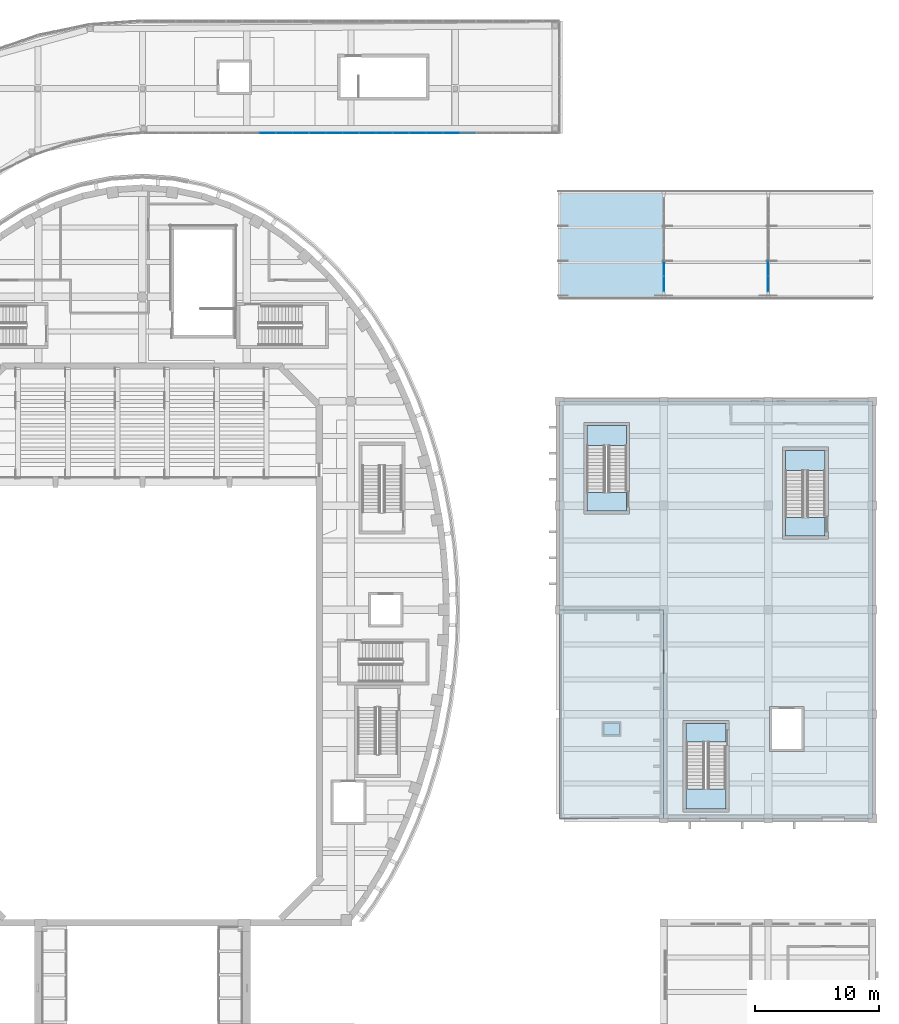
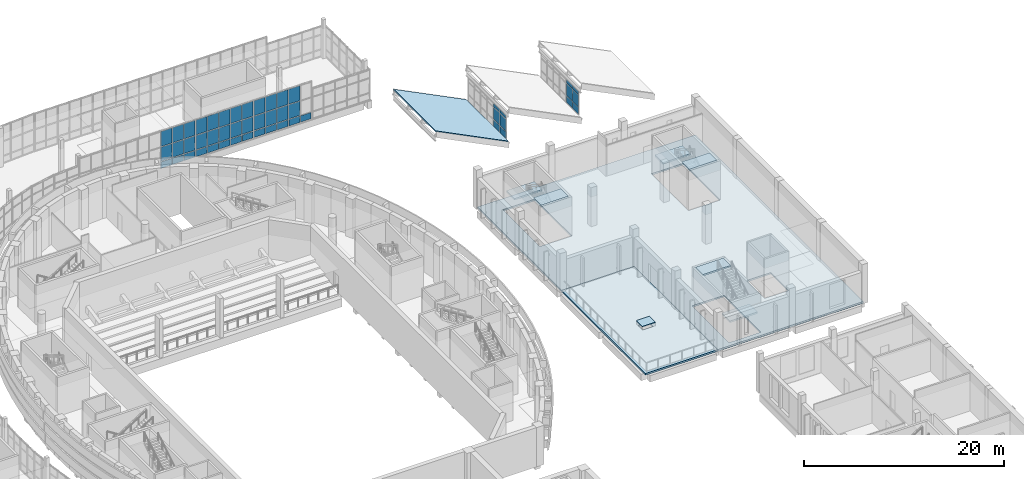
# One storey, part 45 of 103: 50 plates, 9 slabs, 1 opening, 8 elements without a shape of their own.
"""IFC4 building model written with IfcOpenShell, lengths in metres."""

from ifc_helpers import new_model, si_unit, direction, frame, origin, origin_2d, place, context, subcontext, project, spatial, polyline, rectangle, outline, extrude, material, layer, layer_set, type_object, element, fill, aggregate, save


model = new_model("IFC4")

# Units and contexts
model_context = context("Model", 3, precision=1e-05, world=origin(), true_north=direction((0.0, 1.0)))
body_context = subcontext(model_context, "Body", "Model", "MODEL_VIEW")
ifc_project = project(units=[si_unit("LENGTHUNIT", "METRE"), si_unit("AREAUNIT", "SQUARE_METRE"), si_unit("VOLUMEUNIT", "CUBIC_METRE"), si_unit("PLANEANGLEUNIT", "RADIAN"), si_unit("MASSUNIT", "GRAM", prefix="KILO")], contexts=[model_context])

# Site, building, storey
site_placement = place(None, origin())
site = spatial("IfcSite", under=ifc_project, at=site_placement, CompositionType="ELEMENT")
building_placement = place(site_placement, origin())
building = spatial("IfcBuilding", under=site, at=building_placement, Name="Larchfold Concert Hall", CompositionType="ELEMENT")
storey_placement = place(building_placement, frame((0.0, 0.0, 9.60009765625)))
storey = spatial("IfcBuildingStorey", under=building, at=storey_placement, Name="L02", CompositionType="ELEMENT", Elevation=9.60009765625)

# Curtain wall, plates
ifc_material_1 = material(Name="Anodised graphite aluminium curtain wall", Category="aluminium")
ifc_layer_1 = layer(ifc_material_1, 0.10009765625)
ifc_layer_set_1 = layer_set([ifc_layer_1], Name="Anodised graphite aluminium curtain wall")
curtain_wall_type_1 = type_object("IfcCurtainWallType", Name="Curtain wall GL", PredefinedType="NOTDEFINED", material=ifc_layer_set_1)
curtain_wall_1_placement = place(storey_placement, origin())
curtain_wall_1 = element("IfcCurtainWall", 1, at=curtain_wall_1_placement, inside=storey, type_object=curtain_wall_type_1, Name="Curtain wall CW8002", PredefinedType="NOTDEFINED")
ifc_material_2 = material(Name="Insulated glazing unit, glass", Category="glass")
ifc_layer_2 = layer(ifc_material_2, 0.02587890625)
ifc_layer_set_2 = layer_set([ifc_layer_2], Name="Insulated glazing unit, glass")
plate_type_1 = type_object("IfcPlateType", Name="Glass panel 26", PredefinedType="CURTAIN_PANEL", material=ifc_layer_set_2)
plate_1_placement = place(storey_placement, frame((84.60009765625, 110.845703125, 0.929931640625), z_axis=(0.0, 0.0, 1.0), x_axis=(0.0, 1.0, 0.0)))
plate_1 = element("IfcPlate", 2, at=plate_1_placement, type_object=plate_type_1, Name="CW8002 panel 1.2", PredefinedType="CURTAIN_PANEL", context=body_context, shape_type="SweptSolid", body=[
    extrude(rectangle(XDim=1.191650390625, YDim=0.02587890625, at=origin_2d()), origin(), (0.0, 0.0, 1.0), 1.4638671875),
])
plate_2_placement = place(storey_placement, frame((84.60009765625, 110.845703125, 2.4541015625), z_axis=(0.0, 0.0, 1.0), x_axis=(0.0, 1.0, 0.0)))
plate_2 = element("IfcPlate", 3, at=plate_2_placement, type_object=plate_type_1, Name="CW8002 panel 1.3", PredefinedType="CURTAIN_PANEL", context=body_context, shape_type="SweptSolid", body=[
    extrude(rectangle(XDim=1.191650390625, YDim=0.02587890625, at=origin_2d()), origin(), (0.0, 0.0, 1.0), 0.409912109375),
])
plate_3_placement = place(storey_placement, frame((84.60009765625, 112.10009765625, 0.929931640625), z_axis=(0.0, 0.0, 1.0), x_axis=(0.0, 1.0, 0.0)))
plate_3 = element("IfcPlate", 4, at=plate_3_placement, type_object=plate_type_1, Name="CW8002 panel 2.2", PredefinedType="CURTAIN_PANEL", context=body_context, shape_type="SweptSolid", body=[
    extrude(rectangle(XDim=1.216796875, YDim=0.02587890625, at=origin_2d()), origin(), (0.0, 0.0, 1.0), 1.4638671875),
])
plate_4_placement = place(storey_placement, frame((84.60009765625, 112.10009765625, 2.4541015625), z_axis=(0.0, 0.0, 1.0), x_axis=(0.0, 1.0, 0.0)))
plate_4 = element("IfcPlate", 5, at=plate_4_placement, type_object=plate_type_1, Name="CW8002 panel 2.3", PredefinedType="CURTAIN_PANEL", context=body_context, shape_type="SweptSolid", body=[
    extrude(rectangle(XDim=1.216796875, YDim=0.02587890625, at=origin_2d()), origin(), (0.0, 0.0, 1.0), 0.409912109375),
])

curtain_wall_2_placement = place(storey_placement, origin())
curtain_wall_2 = element("IfcCurtainWall", 6, at=curtain_wall_2_placement, inside=storey, type_object=curtain_wall_type_1, Name="Curtain wall CW8003", PredefinedType="NOTDEFINED")
plate_5_placement = place(storey_placement, frame((93.0, 110.845703125, 0.929931640625), z_axis=(0.0, 0.0, 1.0), x_axis=(0.0, 1.0, 0.0)))
plate_5 = element("IfcPlate", 7, at=plate_5_placement, type_object=plate_type_1, Name="CW8003 panel 1.2", PredefinedType="CURTAIN_PANEL", context=body_context, shape_type="SweptSolid", body=[
    extrude(rectangle(XDim=1.191650390625, YDim=0.02587890625, at=origin_2d()), origin(), (0.0, 0.0, 1.0), 1.4638671875),
])
plate_6_placement = place(storey_placement, frame((93.0, 110.845703125, 2.4541015625), z_axis=(0.0, 0.0, 1.0), x_axis=(0.0, 1.0, 0.0)))
plate_6 = element("IfcPlate", 8, at=plate_6_placement, type_object=plate_type_1, Name="CW8003 panel 1.3", PredefinedType="CURTAIN_PANEL", context=body_context, shape_type="SweptSolid", body=[
    extrude(rectangle(XDim=1.191650390625, YDim=0.02587890625, at=origin_2d()), origin(), (0.0, 0.0, 1.0), 0.409912109375),
])
plate_7_placement = place(storey_placement, frame((93.0, 112.10009765625, 0.929931640625), z_axis=(0.0, 0.0, 1.0), x_axis=(0.0, 1.0, 0.0)))
plate_7 = element("IfcPlate", 9, at=plate_7_placement, type_object=plate_type_1, Name="CW8003 panel 2.2", PredefinedType="CURTAIN_PANEL", context=body_context, shape_type="SweptSolid", body=[
    extrude(rectangle(XDim=1.216796875, YDim=0.02587890625, at=origin_2d()), origin(), (0.0, 0.0, 1.0), 1.4638671875),
])
plate_8_placement = place(storey_placement, frame((93.0, 112.10009765625, 2.4541015625), z_axis=(0.0, 0.0, 1.0), x_axis=(0.0, 1.0, 0.0)))
plate_8 = element("IfcPlate", 10, at=plate_8_placement, type_object=plate_type_1, Name="CW8003 panel 2.3", PredefinedType="CURTAIN_PANEL", context=body_context, shape_type="SweptSolid", body=[
    extrude(rectangle(XDim=1.216796875, YDim=0.02587890625, at=origin_2d()), origin(), (0.0, 0.0, 1.0), 0.409912109375),
])

ifc_material_3 = material(Name="Anodised graphite aluminium curtain wall", Category="aluminium")
ifc_layer_3 = layer(ifc_material_3, 0.14990234375)
ifc_layer_set_3 = layer_set([ifc_layer_3], Name="Anodised graphite aluminium curtain wall")
curtain_wall_type_2 = type_object("IfcCurtainWallType", Name="Curtain wall WG", PredefinedType="NOTDEFINED", material=ifc_layer_set_3)
curtain_wall_3_placement = place(storey_placement, origin())
curtain_wall_3 = element("IfcCurtainWall", 11, at=curtain_wall_3_placement, inside=storey, type_object=curtain_wall_type_2, Name="Curtain wall CW0244", PredefinedType="NOTDEFINED")
ifc_material_4 = material(Name="Insulated glazing unit, glass", Category="glass")
ifc_layer_4 = layer(ifc_material_4, 0.028076171875)
ifc_layer_set_4 = layer_set([ifc_layer_4], Name="Insulated glazing unit, glass")
plate_type_2 = type_object("IfcPlateType", Name="Glass panel 28", PredefinedType="CURTAIN_PANEL", material=ifc_layer_set_4)
plate_9_placement = place(storey_placement, frame((52.679931640625, 123.0, 0.93994140625), z_axis=(0.0, 0.0, 1.0), x_axis=(1.0, 0.0, 0.0)))
plate_9 = element("IfcPlate", 12, at=plate_9_placement, type_object=plate_type_2, Name="CW0244 panel 3.2", PredefinedType="CURTAIN_PANEL", context=body_context, shape_type="SweptSolid", body=[
    extrude(rectangle(XDim=1.283935546875, YDim=0.028076171875, at=origin_2d()), origin(), (0.0, 0.0, 1.0), 1.719970703125),
])
plate_10_placement = place(storey_placement, frame((52.679931640625, 123.0, 2.740234375), z_axis=(0.0, 0.0, 1.0), x_axis=(1.0, 0.0, 0.0)))
plate_10 = element("IfcPlate", 13, at=plate_10_placement, type_object=plate_type_2, Name="CW0244 panel 3.3", PredefinedType="CURTAIN_PANEL", context=body_context, shape_type="SweptSolid", body=[
    extrude(rectangle(XDim=1.283935546875, YDim=0.028076171875, at=origin_2d()), origin(), (0.0, 0.0, 1.0), 1.829833984375),
])
plate_11_placement = place(storey_placement, frame((54.02392578125, 123.0, 0.93994140625), z_axis=(0.0, 0.0, 1.0), x_axis=(1.0, 0.0, 0.0)))
plate_11 = element("IfcPlate", 14, at=plate_11_placement, type_object=plate_type_2, Name="CW0244 panel 4.2", PredefinedType="CURTAIN_PANEL", context=body_context, shape_type="SweptSolid", body=[
    extrude(rectangle(XDim=1.283935546875, YDim=0.028076171875, at=origin_2d()), origin(), (0.0, 0.0, 1.0), 1.719970703125),
])
plate_12_placement = place(storey_placement, frame((54.02392578125, 123.0, 2.740234375), z_axis=(0.0, 0.0, 1.0), x_axis=(1.0, 0.0, 0.0)))
plate_12 = element("IfcPlate", 15, at=plate_12_placement, type_object=plate_type_2, Name="CW0244 panel 4.3", PredefinedType="CURTAIN_PANEL", context=body_context, shape_type="SweptSolid", body=[
    extrude(rectangle(XDim=1.283935546875, YDim=0.028076171875, at=origin_2d()), origin(), (0.0, 0.0, 1.0), 1.829833984375),
])
plate_13_placement = place(storey_placement, frame((55.35302734375, 123.0, 0.93994140625), z_axis=(0.0, 0.0, 1.0), x_axis=(1.0, 0.0, 0.0)))
plate_13 = element("IfcPlate", 16, at=plate_13_placement, type_object=plate_type_2, Name="CW0244 panel 5.2", PredefinedType="CURTAIN_PANEL", context=body_context, shape_type="SweptSolid", body=[
    extrude(rectangle(XDim=1.25390625, YDim=0.028076171875, at=origin_2d()), origin(), (0.0, 0.0, 1.0), 1.719970703125),
])
plate_14_placement = place(storey_placement, frame((55.35302734375, 123.0, 2.740234375), z_axis=(0.0, 0.0, 1.0), x_axis=(1.0, 0.0, 0.0)))
plate_14 = element("IfcPlate", 17, at=plate_14_placement, type_object=plate_type_2, Name="CW0244 panel 5.3", PredefinedType="CURTAIN_PANEL", context=body_context, shape_type="SweptSolid", body=[
    extrude(rectangle(XDim=1.25390625, YDim=0.028076171875, at=origin_2d()), origin(), (0.0, 0.0, 1.0), 1.829833984375),
])

curtain_wall_4_placement = place(storey_placement, origin())
curtain_wall_4 = element("IfcCurtainWall", 18, at=curtain_wall_4_placement, inside=storey, type_object=curtain_wall_type_2, Name="Curtain wall CW0245", PredefinedType="NOTDEFINED")
plate_15_placement = place(storey_placement, frame((56.72705078125, 123.0, 0.93994140625), z_axis=(0.0, 0.0, 1.0), x_axis=(1.0, 0.0, 0.0)))
plate_15 = element("IfcPlate", 19, at=plate_15_placement, type_object=plate_type_2, Name="CW0245 panel 1.2", PredefinedType="CURTAIN_PANEL", context=body_context, shape_type="SweptSolid", body=[
    extrude(rectangle(XDim=1.25390625, YDim=0.028076171875, at=origin_2d()), origin(), (0.0, 0.0, 1.0), 1.719970703125),
])
plate_16_placement = place(storey_placement, frame((56.72705078125, 123.0, 2.740234375), z_axis=(0.0, 0.0, 1.0), x_axis=(1.0, 0.0, 0.0)))
plate_16 = element("IfcPlate", 20, at=plate_16_placement, type_object=plate_type_2, Name="CW0245 panel 1.3", PredefinedType="CURTAIN_PANEL", context=body_context, shape_type="SweptSolid", body=[
    extrude(rectangle(XDim=1.25390625, YDim=0.028076171875, at=origin_2d()), origin(), (0.0, 0.0, 1.0), 1.829833984375),
])
plate_17_placement = place(storey_placement, frame((58.055908203125, 123.0, 0.93994140625), z_axis=(0.0, 0.0, 1.0), x_axis=(1.0, 0.0, 0.0)))
plate_17 = element("IfcPlate", 21, at=plate_17_placement, type_object=plate_type_2, Name="CW0245 panel 2.2", PredefinedType="CURTAIN_PANEL", context=body_context, shape_type="SweptSolid", body=[
    extrude(rectangle(XDim=1.283935546875, YDim=0.028076171875, at=origin_2d()), origin(), (0.0, 0.0, 1.0), 1.719970703125),
])
plate_18_placement = place(storey_placement, frame((58.055908203125, 123.0, 2.740234375), z_axis=(0.0, 0.0, 1.0), x_axis=(1.0, 0.0, 0.0)))
plate_18 = element("IfcPlate", 22, at=plate_18_placement, type_object=plate_type_2, Name="CW0245 panel 2.3", PredefinedType="CURTAIN_PANEL", context=body_context, shape_type="SweptSolid", body=[
    extrude(rectangle(XDim=1.283935546875, YDim=0.028076171875, at=origin_2d()), origin(), (0.0, 0.0, 1.0), 1.829833984375),
])
plate_19_placement = place(storey_placement, frame((59.39990234375, 123.0, 0.93994140625), z_axis=(0.0, 0.0, 1.0), x_axis=(1.0, 0.0, 0.0)))
plate_19 = element("IfcPlate", 23, at=plate_19_placement, type_object=plate_type_2, Name="CW0245 panel 3.2", PredefinedType="CURTAIN_PANEL", context=body_context, shape_type="SweptSolid", body=[
    extrude(rectangle(XDim=1.283935546875, YDim=0.028076171875, at=origin_2d()), origin(), (0.0, 0.0, 1.0), 1.719970703125),
])
plate_20_placement = place(storey_placement, frame((59.39990234375, 123.0, 2.740234375), z_axis=(0.0, 0.0, 1.0), x_axis=(1.0, 0.0, 0.0)))
plate_20 = element("IfcPlate", 24, at=plate_20_placement, type_object=plate_type_2, Name="CW0245 panel 3.3", PredefinedType="CURTAIN_PANEL", context=body_context, shape_type="SweptSolid", body=[
    extrude(rectangle(XDim=1.283935546875, YDim=0.028076171875, at=origin_2d()), origin(), (0.0, 0.0, 1.0), 1.829833984375),
])
plate_21_placement = place(storey_placement, frame((60.744140625, 123.0, 0.93994140625), z_axis=(0.0, 0.0, 1.0), x_axis=(1.0, 0.0, 0.0)))
plate_21 = element("IfcPlate", 25, at=plate_21_placement, type_object=plate_type_2, Name="CW0245 panel 4.2", PredefinedType="CURTAIN_PANEL", context=body_context, shape_type="SweptSolid", body=[
    extrude(rectangle(XDim=1.283935546875, YDim=0.028076171875, at=origin_2d()), origin(), (0.0, 0.0, 1.0), 1.719970703125),
])
plate_22_placement = place(storey_placement, frame((60.744140625, 123.0, 2.740234375), z_axis=(0.0, 0.0, 1.0), x_axis=(1.0, 0.0, 0.0)))
plate_22 = element("IfcPlate", 26, at=plate_22_placement, type_object=plate_type_2, Name="CW0245 panel 4.3", PredefinedType="CURTAIN_PANEL", context=body_context, shape_type="SweptSolid", body=[
    extrude(rectangle(XDim=1.283935546875, YDim=0.028076171875, at=origin_2d()), origin(), (0.0, 0.0, 1.0), 1.829833984375),
])
plate_23_placement = place(storey_placement, frame((62.072998046875, 123.0, 0.93994140625), z_axis=(0.0, 0.0, 1.0), x_axis=(1.0, 0.0, 0.0)))
plate_23 = element("IfcPlate", 27, at=plate_23_placement, type_object=plate_type_2, Name="CW0245 panel 5.2", PredefinedType="CURTAIN_PANEL", context=body_context, shape_type="SweptSolid", body=[
    extrude(rectangle(XDim=1.25390625, YDim=0.028076171875, at=origin_2d()), origin(), (0.0, 0.0, 1.0), 1.719970703125),
])
plate_24_placement = place(storey_placement, frame((62.072998046875, 123.0, 2.740234375), z_axis=(0.0, 0.0, 1.0), x_axis=(1.0, 0.0, 0.0)))
plate_24 = element("IfcPlate", 28, at=plate_24_placement, type_object=plate_type_2, Name="CW0245 panel 5.3", PredefinedType="CURTAIN_PANEL", context=body_context, shape_type="SweptSolid", body=[
    extrude(rectangle(XDim=1.25390625, YDim=0.028076171875, at=origin_2d()), origin(), (0.0, 0.0, 1.0), 1.829833984375),
])

curtain_wall_5_placement = place(storey_placement, origin())
curtain_wall_5 = element("IfcCurtainWall", 29, at=curtain_wall_5_placement, inside=storey, type_object=curtain_wall_type_2, Name="Curtain wall CW0246", PredefinedType="NOTDEFINED")
plate_25_placement = place(storey_placement, frame((63.447021484375, 123.0, 0.93994140625), z_axis=(0.0, 0.0, 1.0), x_axis=(1.0, 0.0, 0.0)))
plate_25 = element("IfcPlate", 30, at=plate_25_placement, type_object=plate_type_2, Name="CW0246 panel 1.2", PredefinedType="CURTAIN_PANEL", context=body_context, shape_type="SweptSolid", body=[
    extrude(rectangle(XDim=1.25390625, YDim=0.028076171875, at=origin_2d()), origin(), (0.0, 0.0, 1.0), 1.719970703125),
])
plate_26_placement = place(storey_placement, frame((63.447021484375, 123.0, 2.740234375), z_axis=(0.0, 0.0, 1.0), x_axis=(1.0, 0.0, 0.0)))
plate_26 = element("IfcPlate", 31, at=plate_26_placement, type_object=plate_type_2, Name="CW0246 panel 1.3", PredefinedType="CURTAIN_PANEL", context=body_context, shape_type="SweptSolid", body=[
    extrude(rectangle(XDim=1.25390625, YDim=0.028076171875, at=origin_2d()), origin(), (0.0, 0.0, 1.0), 1.829833984375),
])
plate_27_placement = place(storey_placement, frame((64.776123046875, 123.0, 0.93994140625), z_axis=(0.0, 0.0, 1.0), x_axis=(1.0, 0.0, 0.0)))
plate_27 = element("IfcPlate", 32, at=plate_27_placement, type_object=plate_type_2, Name="CW0246 panel 2.2", PredefinedType="CURTAIN_PANEL", context=body_context, shape_type="SweptSolid", body=[
    extrude(rectangle(XDim=1.283935546875, YDim=0.028076171875, at=origin_2d()), origin(), (0.0, 0.0, 1.0), 1.719970703125),
])
plate_28_placement = place(storey_placement, frame((64.776123046875, 123.0, 2.740234375), z_axis=(0.0, 0.0, 1.0), x_axis=(1.0, 0.0, 0.0)))
plate_28 = element("IfcPlate", 33, at=plate_28_placement, type_object=plate_type_2, Name="CW0246 panel 2.3", PredefinedType="CURTAIN_PANEL", context=body_context, shape_type="SweptSolid", body=[
    extrude(rectangle(XDim=1.283935546875, YDim=0.028076171875, at=origin_2d()), origin(), (0.0, 0.0, 1.0), 1.829833984375),
])
plate_29_placement = place(storey_placement, frame((66.119873046875, 123.0, 0.93994140625), z_axis=(0.0, 0.0, 1.0), x_axis=(1.0, 0.0, 0.0)))
plate_29 = element("IfcPlate", 34, at=plate_29_placement, type_object=plate_type_2, Name="CW0246 panel 3.2", PredefinedType="CURTAIN_PANEL", context=body_context, shape_type="SweptSolid", body=[
    extrude(rectangle(XDim=1.283935546875, YDim=0.028076171875, at=origin_2d()), origin(), (0.0, 0.0, 1.0), 1.719970703125),
])
plate_30_placement = place(storey_placement, frame((66.119873046875, 123.0, 2.740234375), z_axis=(0.0, 0.0, 1.0), x_axis=(1.0, 0.0, 0.0)))
plate_30 = element("IfcPlate", 35, at=plate_30_placement, type_object=plate_type_2, Name="CW0246 panel 3.3", PredefinedType="CURTAIN_PANEL", context=body_context, shape_type="SweptSolid", body=[
    extrude(rectangle(XDim=1.283935546875, YDim=0.028076171875, at=origin_2d()), origin(), (0.0, 0.0, 1.0), 1.829833984375),
])
plate_31_placement = place(storey_placement, frame((67.464111328125, 123.0, 0.93994140625), z_axis=(0.0, 0.0, 1.0), x_axis=(1.0, 0.0, 0.0)))
plate_31 = element("IfcPlate", 36, at=plate_31_placement, type_object=plate_type_2, Name="CW0246 panel 4.2", PredefinedType="CURTAIN_PANEL", context=body_context, shape_type="SweptSolid", body=[
    extrude(rectangle(XDim=1.283935546875, YDim=0.028076171875, at=origin_2d()), origin(), (0.0, 0.0, 1.0), 1.719970703125),
])
plate_32_placement = place(storey_placement, frame((67.464111328125, 123.0, 2.740234375), z_axis=(0.0, 0.0, 1.0), x_axis=(1.0, 0.0, 0.0)))
plate_32 = element("IfcPlate", 37, at=plate_32_placement, type_object=plate_type_2, Name="CW0246 panel 4.3", PredefinedType="CURTAIN_PANEL", context=body_context, shape_type="SweptSolid", body=[
    extrude(rectangle(XDim=1.283935546875, YDim=0.028076171875, at=origin_2d()), origin(), (0.0, 0.0, 1.0), 1.829833984375),
])

# Plate
ifc_material_5 = material(Name="White insulated panel")
ifc_layer_5 = layer(ifc_material_5, 0.044921875)
ifc_layer_set_5 = layer_set([ifc_layer_5], Name="White insulated panel")
plate_type_3 = type_object("IfcPlateType", Name="Insulated spandrel panel 45", PredefinedType="CURTAIN_PANEL", material=ifc_layer_set_5)
plate_33_placement = place(storey_placement, frame((84.60009765625, 110.845703125, 0.06005859375), z_axis=(0.0, 0.0, 1.0), x_axis=(0.0, 1.0, 0.0)))
plate_33 = element("IfcPlate", 38, at=plate_33_placement, type_object=plate_type_3, Name="CW8002 panel 1.1", PredefinedType="CURTAIN_PANEL", context=body_context, shape_type="SweptSolid", body=[
    extrude(rectangle(XDim=1.191650390625, YDim=0.044921875, at=origin_2d()), origin(), (0.0, 0.0, 1.0), 0.809814453125),
])

plate_34_placement = place(storey_placement, frame((84.60009765625, 112.10009765625, 0.06005859375), z_axis=(0.0, 0.0, 1.0), x_axis=(0.0, 1.0, 0.0)))
plate_34 = element("IfcPlate", 39, at=plate_34_placement, type_object=plate_type_3, Name="CW8002 panel 2.1", PredefinedType="CURTAIN_PANEL", context=body_context, shape_type="SweptSolid", body=[
    extrude(rectangle(XDim=1.216796875, YDim=0.044921875, at=origin_2d()), origin(), (0.0, 0.0, 1.0), 0.809814453125),
])

aggregate(curtain_wall_1, [plate_33, plate_1, plate_2, plate_34, plate_3, plate_4])

plate_35_placement = place(storey_placement, frame((93.0, 110.845703125, 0.06005859375), z_axis=(0.0, 0.0, 1.0), x_axis=(0.0, 1.0, 0.0)))
plate_35 = element("IfcPlate", 40, at=plate_35_placement, type_object=plate_type_3, Name="CW8003 panel 1.1", PredefinedType="CURTAIN_PANEL", context=body_context, shape_type="SweptSolid", body=[
    extrude(rectangle(XDim=1.191650390625, YDim=0.044921875, at=origin_2d()), origin(), (0.0, 0.0, 1.0), 0.809814453125),
])

plate_36_placement = place(storey_placement, frame((93.0, 112.10009765625, 0.06005859375), z_axis=(0.0, 0.0, 1.0), x_axis=(0.0, 1.0, 0.0)))
plate_36 = element("IfcPlate", 41, at=plate_36_placement, type_object=plate_type_3, Name="CW8003 panel 2.1", PredefinedType="CURTAIN_PANEL", context=body_context, shape_type="SweptSolid", body=[
    extrude(rectangle(XDim=1.216796875, YDim=0.044921875, at=origin_2d()), origin(), (0.0, 0.0, 1.0), 0.809814453125),
])

aggregate(curtain_wall_2, [plate_35, plate_5, plate_6, plate_36, plate_7, plate_8])

ifc_material_6 = material(Name="White insulated panel")
ifc_layer_6 = layer(ifc_material_6, 0.06005859375)
ifc_layer_set_6 = layer_set([ifc_layer_6], Name="White insulated panel")
plate_type_4 = type_object("IfcPlateType", Name="Insulated spandrel panel 60", PredefinedType="CURTAIN_PANEL", material=ifc_layer_set_6)
plate_37_placement = place(storey_placement, frame((52.679931640625, 123.0, 0.080078125), z_axis=(0.0, 0.0, 1.0), x_axis=(1.0, 0.0, 0.0)))
plate_37 = element("IfcPlate", 42, at=plate_37_placement, type_object=plate_type_4, Name="CW0244 panel 3.1", PredefinedType="CURTAIN_PANEL", context=body_context, shape_type="SweptSolid", body=[
    extrude(rectangle(XDim=1.283935546875, YDim=0.06005859375, at=origin_2d()), origin(), (0.0, 0.0, 1.0), 0.77978515625),
])

plate_38_placement = place(storey_placement, frame((54.02392578125, 123.0, 0.080078125), z_axis=(0.0, 0.0, 1.0), x_axis=(1.0, 0.0, 0.0)))
plate_38 = element("IfcPlate", 43, at=plate_38_placement, type_object=plate_type_4, Name="CW0244 panel 4.1", PredefinedType="CURTAIN_PANEL", context=body_context, shape_type="SweptSolid", body=[
    extrude(rectangle(XDim=1.283935546875, YDim=0.06005859375, at=origin_2d()), origin(), (0.0, 0.0, 1.0), 0.77978515625),
])

plate_39_placement = place(storey_placement, frame((55.35302734375, 123.0, 0.080078125), z_axis=(0.0, 0.0, 1.0), x_axis=(1.0, 0.0, 0.0)))
plate_39 = element("IfcPlate", 44, at=plate_39_placement, type_object=plate_type_4, Name="CW0244 panel 5.1", PredefinedType="CURTAIN_PANEL", context=body_context, shape_type="SweptSolid", body=[
    extrude(rectangle(XDim=1.25390625, YDim=0.06005859375, at=origin_2d()), origin(), (0.0, 0.0, 1.0), 0.77978515625),
])

aggregate(curtain_wall_3, [plate_37, plate_9, plate_10, plate_38, plate_11, plate_12, plate_39, plate_13, plate_14])

plate_40_placement = place(storey_placement, frame((56.72705078125, 123.0, 0.080078125), z_axis=(0.0, 0.0, 1.0), x_axis=(1.0, 0.0, 0.0)))
plate_40 = element("IfcPlate", 45, at=plate_40_placement, type_object=plate_type_4, Name="CW0245 panel 1.1", PredefinedType="CURTAIN_PANEL", context=body_context, shape_type="SweptSolid", body=[
    extrude(rectangle(XDim=1.25390625, YDim=0.06005859375, at=origin_2d()), origin(), (0.0, 0.0, 1.0), 0.77978515625),
])

plate_41_placement = place(storey_placement, frame((58.055908203125, 123.0, 0.080078125), z_axis=(0.0, 0.0, 1.0), x_axis=(1.0, 0.0, 0.0)))
plate_41 = element("IfcPlate", 46, at=plate_41_placement, type_object=plate_type_4, Name="CW0245 panel 2.1", PredefinedType="CURTAIN_PANEL", context=body_context, shape_type="SweptSolid", body=[
    extrude(rectangle(XDim=1.283935546875, YDim=0.06005859375, at=origin_2d()), origin(), (0.0, 0.0, 1.0), 0.77978515625),
])

plate_42_placement = place(storey_placement, frame((59.39990234375, 123.0, 0.080078125), z_axis=(0.0, 0.0, 1.0), x_axis=(1.0, 0.0, 0.0)))
plate_42 = element("IfcPlate", 47, at=plate_42_placement, type_object=plate_type_4, Name="CW0245 panel 3.1", PredefinedType="CURTAIN_PANEL", context=body_context, shape_type="SweptSolid", body=[
    extrude(rectangle(XDim=1.283935546875, YDim=0.06005859375, at=origin_2d()), origin(), (0.0, 0.0, 1.0), 0.77978515625),
])

plate_43_placement = place(storey_placement, frame((60.744140625, 123.0, 0.080078125), z_axis=(0.0, 0.0, 1.0), x_axis=(1.0, 0.0, 0.0)))
plate_43 = element("IfcPlate", 48, at=plate_43_placement, type_object=plate_type_4, Name="CW0245 panel 4.1", PredefinedType="CURTAIN_PANEL", context=body_context, shape_type="SweptSolid", body=[
    extrude(rectangle(XDim=1.283935546875, YDim=0.06005859375, at=origin_2d()), origin(), (0.0, 0.0, 1.0), 0.77978515625),
])

plate_44_placement = place(storey_placement, frame((62.072998046875, 123.0, 0.080078125), z_axis=(0.0, 0.0, 1.0), x_axis=(1.0, 0.0, 0.0)))
plate_44 = element("IfcPlate", 49, at=plate_44_placement, type_object=plate_type_4, Name="CW0245 panel 5.1", PredefinedType="CURTAIN_PANEL", context=body_context, shape_type="SweptSolid", body=[
    extrude(rectangle(XDim=1.25390625, YDim=0.06005859375, at=origin_2d()), origin(), (0.0, 0.0, 1.0), 0.77978515625),
])

aggregate(curtain_wall_4, [plate_40, plate_15, plate_16, plate_41, plate_17, plate_18, plate_42, plate_19, plate_20, plate_43, plate_21, plate_22, plate_44, plate_23, plate_24])

plate_45_placement = place(storey_placement, frame((63.447021484375, 123.0, 0.080078125), z_axis=(0.0, 0.0, 1.0), x_axis=(1.0, 0.0, 0.0)))
plate_45 = element("IfcPlate", 50, at=plate_45_placement, type_object=plate_type_4, Name="CW0246 panel 1.1", PredefinedType="CURTAIN_PANEL", context=body_context, shape_type="SweptSolid", body=[
    extrude(rectangle(XDim=1.25390625, YDim=0.06005859375, at=origin_2d()), origin(), (0.0, 0.0, 1.0), 0.77978515625),
])

plate_46_placement = place(storey_placement, frame((64.776123046875, 123.0, 0.080078125), z_axis=(0.0, 0.0, 1.0), x_axis=(1.0, 0.0, 0.0)))
plate_46 = element("IfcPlate", 51, at=plate_46_placement, type_object=plate_type_4, Name="CW0246 panel 2.1", PredefinedType="CURTAIN_PANEL", context=body_context, shape_type="SweptSolid", body=[
    extrude(rectangle(XDim=1.283935546875, YDim=0.06005859375, at=origin_2d()), origin(), (0.0, 0.0, 1.0), 0.77978515625),
])

plate_47_placement = place(storey_placement, frame((66.119873046875, 123.0, 0.080078125), z_axis=(0.0, 0.0, 1.0), x_axis=(1.0, 0.0, 0.0)))
plate_47 = element("IfcPlate", 52, at=plate_47_placement, type_object=plate_type_4, Name="CW0246 panel 3.1", PredefinedType="CURTAIN_PANEL", context=body_context, shape_type="SweptSolid", body=[
    extrude(rectangle(XDim=1.283935546875, YDim=0.06005859375, at=origin_2d()), origin(), (0.0, 0.0, 1.0), 0.77978515625),
])

plate_48_placement = place(storey_placement, frame((67.464111328125, 123.0, 0.080078125), z_axis=(0.0, 0.0, 1.0), x_axis=(1.0, 0.0, 0.0)))
plate_48 = element("IfcPlate", 53, at=plate_48_placement, type_object=plate_type_4, Name="CW0246 panel 4.1", PredefinedType="CURTAIN_PANEL", context=body_context, shape_type="SweptSolid", body=[
    extrude(rectangle(XDim=1.283935546875, YDim=0.06005859375, at=origin_2d()), origin(), (0.0, 0.0, 1.0), 0.77978515625),
])

plate_49_placement = place(storey_placement, frame((68.79296875, 123.0, 0.080078125), z_axis=(0.0, 0.0, 1.0), x_axis=(1.0, 0.0, 0.0)))
plate_49 = element("IfcPlate", 54, at=plate_49_placement, type_object=plate_type_4, Name="CW0246 panel 5.1", PredefinedType="CURTAIN_PANEL", context=body_context, shape_type="SweptSolid", body=[
    extrude(rectangle(XDim=1.25390625, YDim=0.06005859375, at=origin_2d()), origin(), (0.0, 0.0, 1.0), 0.77978515625),
])

aggregate(curtain_wall_5, [plate_45, plate_25, plate_26, plate_46, plate_27, plate_28, plate_47, plate_29, plate_30, plate_48, plate_31, plate_32, plate_49])

# Slabs
ifc_material_7 = material(Name="Steel S355", Category="steel")
ifc_layer_7 = layer(ifc_material_7, 0.10009765625)
ifc_layer_set_7 = layer_set([ifc_layer_7], Name="Steel S355")
slab_type_1 = type_object("IfcSlabType", Name="Roof plate 100 insulated", PredefinedType="ROOF", material=ifc_layer_set_7)
slab_1_placement = place(storey_placement, frame((76.199951171875, 118.199951171875, 4.199951171875), z_axis=(0.44722399361, 0.0, 0.89442199187), x_axis=(0.89442199187, 0.0, -0.44722399361)))
element("IfcSlab", 55, at=slab_1_placement, inside=storey, type_object=slab_type_1, Name="Roof plate FP040", PredefinedType="ROOF", context=body_context, shape_type="SweptSolid", body=[
    extrude(outline(polyline([(0.0, 0.0), (9.391703872147197, 0.0), (9.391703872147197, -8.39990234375), (0.0, -8.39990234375), (0.0, 0.0)])), origin(), (0.0, 0.0, -1.0), 0.10009765625),
])
ifc_material_8 = material(Name="Concrete C35/45", Category="concrete")
ifc_layer_8 = layer(ifc_material_8, 0.199951171875)
ifc_layer_set_8 = layer_set([ifc_layer_8], Name="Concrete C35/45")
slab_type_2 = type_object("IfcSlabType", Name="Slab 200", PredefinedType="FLOOR", material=ifc_layer_set_8)
slab_2_placement = place(storey_placement, frame((0.0, 0.0, -0.2001953125)))
element("IfcSlab", 56, at=slab_2_placement, inside=storey, type_object=slab_type_2, Name="Slab S0005", PredefinedType="FLOOR", context=body_context, shape_type="SweptSolid", body=[
    extrude(outline(polyline([(76.199951171875, 101.39990234375), (76.199951171875, 84.590087890625), (84.590087890625, 84.590087890625), (84.590087890625, 67.800048828125), (101.39990234375, 67.800048828125), (101.39990234375, 101.39990234375), (76.199951171875, 101.39990234375)]), holes=[polyline([(89.85009765625, 68.300048828125), (86.14990234375, 68.300048828125), (86.14990234375, 75.699951171875), (89.85009765625, 75.699951171875), (89.85009765625, 68.300048828125)]), polyline([(95.89990234375, 73.199951171875), (93.10009765625, 73.199951171875), (93.10009765625, 76.800048828125), (95.89990234375, 76.800048828125), (95.89990234375, 73.199951171875)]), polyline([(97.85009765625, 90.300048828125), (94.14990234375, 90.300048828125), (94.14990234375, 97.699951171875), (97.85009765625, 97.699951171875), (97.85009765625, 90.300048828125)]), polyline([(81.85009765625, 92.300048828125), (78.14990234375, 92.300048828125), (78.14990234375, 99.699951171875), (81.85009765625, 99.699951171875), (81.85009765625, 92.300048828125)])]), origin(), (0.0, 0.0, 1.0), 0.2001953125),
])

# Slab, opening, plate
ifc_material_9 = material(Name="Concrete C35/45", Category="concrete")
ifc_layer_9 = layer(ifc_material_9, 0.199951171875)
ifc_layer_set_9 = layer_set([ifc_layer_9], Name="Concrete C35/45")
slab_type_3 = type_object("IfcSlabType", Name="Slab 200 external", PredefinedType="ROOF", material=ifc_layer_set_9)
slab_3_placement = place(storey_placement, frame((0.0, 0.0, -0.2001953125)))
slab_3 = element("IfcSlab", 57, at=slab_3_placement, inside=storey, type_object=slab_type_3, Name="Slab S0004", PredefinedType="ROOF", context=body_context, shape_type="SweptSolid", body=[
    extrude(outline(polyline([(76.199951171875, 84.590087890625), (76.199951171875, 67.800048828125), (84.590087890625, 67.800048828125), (84.590087890625, 84.590087890625), (76.199951171875, 84.590087890625)])), origin(), (0.0, 0.0, 1.0), 0.2001953125),
])
opening_placement = place(storey_placement, frame((0.0, 0.0, -0.210205078125)))
opening = element("IfcOpeningElement", 58, at=opening_placement, cuts=slab_3, Name="Opening RH06", PredefinedType="OPENING", context=body_context, shape_type="SweptSolid", body=[
    extrude(outline(polyline([(81.0, 74.550048828125), (81.0, 75.449951171875), (79.7998046875, 75.449951171875), (79.7998046875, 74.550048828125), (81.0, 74.550048828125)])), origin(), (0.0, 0.0, 1.0), 0.22021484375),
])
ifc_material_10 = material(Name="Insulated steel hatch lid", Category="steel")
ifc_layer_10 = layer(ifc_material_10, 0.06005859375)
ifc_layer_set_10 = layer_set([ifc_layer_10], Name="Insulated steel hatch lid")
plate_type_5 = type_object("IfcPlateType", Name="Roof hatch lid 60", PredefinedType="SHEET", material=ifc_layer_set_10)
plate_50_placement = place(storey_placement, frame((80.39990234375, 75.0, 0.5), z_axis=(0.0, 0.0, 1.0), x_axis=(1.0, 0.0, 0.0)))
plate_50 = element("IfcPlate", 59, at=plate_50_placement, inside=storey, type_object=plate_type_5, Name="Roof hatch lid RH06", PredefinedType="SHEET", context=body_context, shape_type="SweptSolid", body=[
    extrude(rectangle(XDim=1.5, YDim=1.199951171875, at=origin_2d()), origin(), (0.0, 0.0, 1.0), 0.06005859375),
])
fill(opening, plate_50)

# Stair, slabs
ifc_material_11 = material(Name="Concrete C35/45", Category="concrete")
stair_type = type_object("IfcStairType", Name="Stair RC half-turn enclosed", PredefinedType="HALF_TURN_STAIR", material=ifc_material_11)
stair_1_placement = place(storey_placement, origin())
stair_1 = element("IfcStair", 60, at=stair_1_placement, inside=storey, type_object=stair_type, Name="Stair CH1", PredefinedType="HALF_TURN_STAIR")
ifc_material_12 = material(Name="Concrete C35/45", Category="concrete")
ifc_layer_11 = layer(ifc_material_12, 0.199951171875)
ifc_layer_set_11 = layer_set([ifc_layer_11], Name="Concrete C35/45")
slab_type_4 = type_object("IfcSlabType", Name="Stair landing RC 200", PredefinedType="LANDING", material=ifc_layer_set_11)
slab_4_placement = place(storey_placement, frame((0.0, 0.0, 2.199951171875)))
slab_4 = element("IfcSlab", 61, at=slab_4_placement, type_object=slab_type_4, Name="ST16 landing 1", PredefinedType="LANDING", context=body_context, shape_type="SweptSolid", body=[
    extrude(outline(polyline([(86.39990234375, 70.169921875), (86.39990234375, 68.550048828125), (89.599853515625, 68.550048828125), (89.599853515625, 70.169921875), (86.39990234375, 70.169921875)])), origin(), (0.0, 0.0, 1.0), 0.199951171875),
])
slab_5_placement = place(storey_placement, frame((0.0, 0.0, 4.599853515625)))
slab_5 = element("IfcSlab", 62, at=slab_5_placement, type_object=slab_type_4, Name="ST16 landing 2", PredefinedType="LANDING", context=body_context, shape_type="SweptSolid", body=[
    extrude(outline(polyline([(86.39990234375, 75.449951171875), (86.39990234375, 73.949951171875), (89.60009765625, 73.949951171875), (89.60009765625, 75.449951171875), (86.39990234375, 75.449951171875)])), origin(), (0.0, 0.0, 1.0), 0.199951171875),
])
aggregate(stair_1, [slab_4, slab_5])

stair_2_placement = place(storey_placement, origin())
stair_2 = element("IfcStair", 63, at=stair_2_placement, inside=storey, type_object=stair_type, Name="Stair CH2", PredefinedType="HALF_TURN_STAIR")
slab_6_placement = place(storey_placement, frame((0.0, 0.0, 2.199951171875)))
slab_6 = element("IfcSlab", 64, at=slab_6_placement, type_object=slab_type_4, Name="ST17 landing 1", PredefinedType="LANDING", context=body_context, shape_type="SweptSolid", body=[
    extrude(outline(polyline([(81.60009765625, 97.830078125), (81.60009765625, 99.449951171875), (78.400146484375, 99.449951171875), (78.400146484375, 97.830078125), (81.60009765625, 97.830078125)])), origin(), (0.0, 0.0, 1.0), 0.199951171875),
])
slab_7_placement = place(storey_placement, frame((0.0, 0.0, 4.599853515625)))
slab_7 = element("IfcSlab", 65, at=slab_7_placement, type_object=slab_type_4, Name="ST17 landing 2", PredefinedType="LANDING", context=body_context, shape_type="SweptSolid", body=[
    extrude(outline(polyline([(81.60009765625, 92.550048828125), (81.60009765625, 94.050048828125), (78.39990234375, 94.050048828125), (78.39990234375, 92.550048828125), (81.60009765625, 92.550048828125)])), origin(), (0.0, 0.0, 1.0), 0.199951171875),
])
aggregate(stair_2, [slab_6, slab_7])

stair_3_placement = place(storey_placement, origin())
stair_3 = element("IfcStair", 66, at=stair_3_placement, inside=storey, type_object=stair_type, Name="Stair CH3", PredefinedType="HALF_TURN_STAIR")
slab_8_placement = place(storey_placement, frame((0.0, 0.0, 2.199951171875)))
slab_8 = element("IfcSlab", 67, at=slab_8_placement, type_object=slab_type_4, Name="ST18 landing 1", PredefinedType="LANDING", context=body_context, shape_type="SweptSolid", body=[
    extrude(outline(polyline([(97.60009765625, 95.830078125), (97.60009765625, 97.449951171875), (94.400146484375, 97.449951171875), (94.400146484375, 95.830078125), (97.60009765625, 95.830078125)])), origin(), (0.0, 0.0, 1.0), 0.199951171875),
])
slab_9_placement = place(storey_placement, frame((0.0, 0.0, 4.599853515625)))
slab_9 = element("IfcSlab", 68, at=slab_9_placement, type_object=slab_type_4, Name="ST18 landing 2", PredefinedType="LANDING", context=body_context, shape_type="SweptSolid", body=[
    extrude(outline(polyline([(97.60009765625, 90.550048828125), (97.60009765625, 92.050048828125), (94.39990234375, 92.050048828125), (94.39990234375, 90.550048828125), (97.60009765625, 90.550048828125)])), origin(), (0.0, 0.0, 1.0), 0.199951171875),
])
aggregate(stair_3, [slab_8, slab_9])

save(model, "model.ifc")
